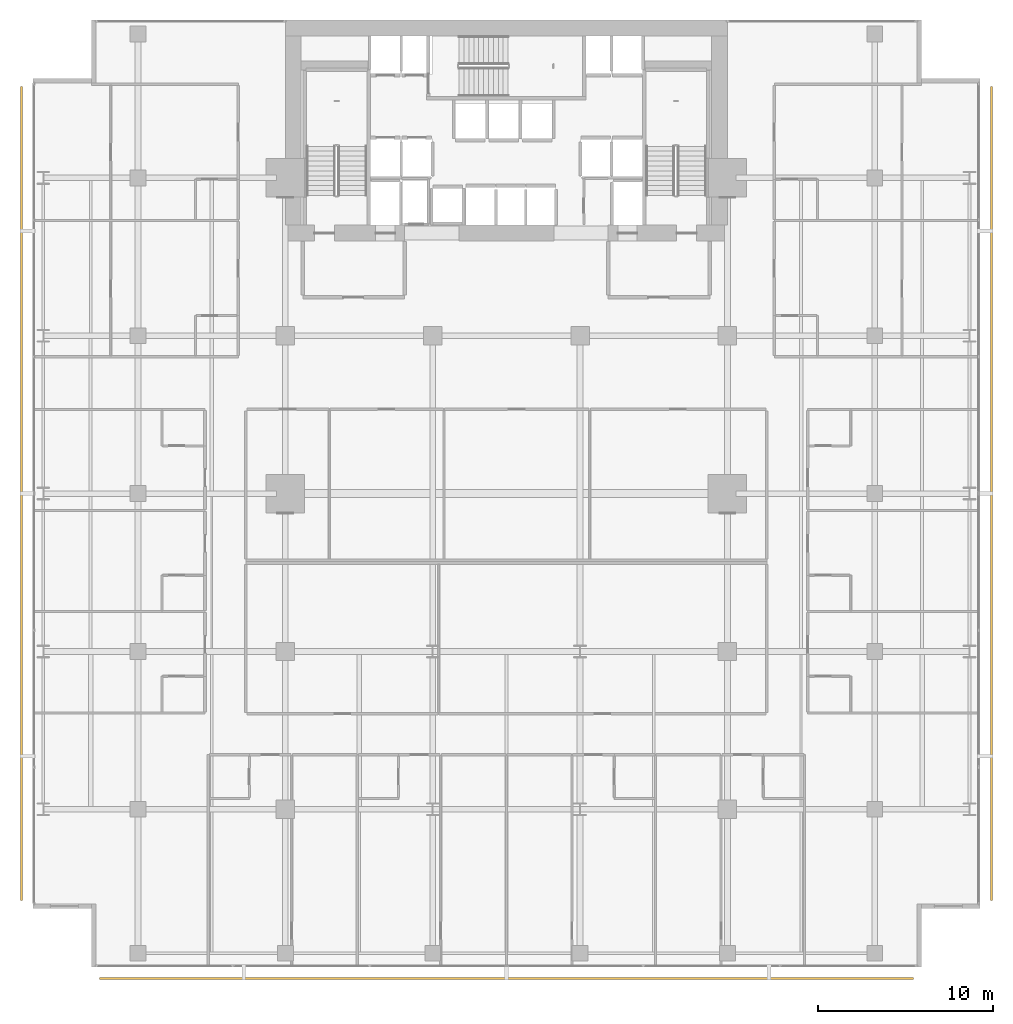
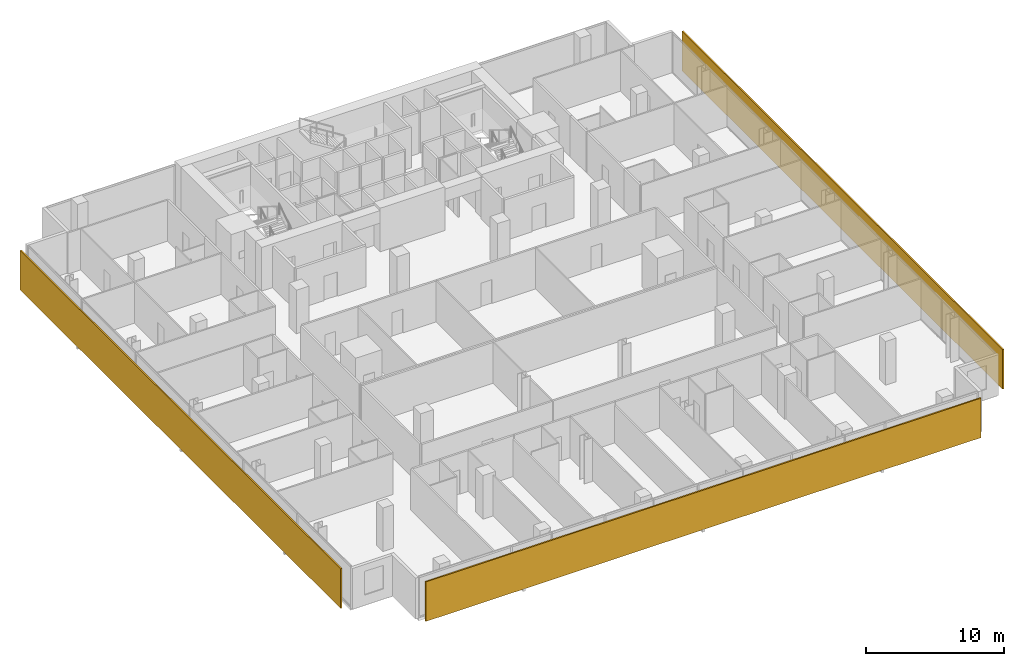
# One storey, part 39 of 40: 3 shading devices.
"""IFC4 building model written with IfcOpenShell, lengths in metres."""

from ifc_helpers import new_model, si_unit, direction, frame, origin, origin_2d, place, context, subcontext, project, spatial, rectangle, extrude, material, layer, layer_set, type_object, element, save


model = new_model("IFC4")

# Units and contexts
model_context = context("Model", 3, precision=1e-05, world=origin(), true_north=direction((0.0, 1.0)))
body_context = subcontext(model_context, "Body", "Model", "MODEL_VIEW")
ifc_project = project(units=[si_unit("LENGTHUNIT", "METRE"), si_unit("AREAUNIT", "SQUARE_METRE"), si_unit("VOLUMEUNIT", "CUBIC_METRE"), si_unit("PLANEANGLEUNIT", "RADIAN"), si_unit("MASSUNIT", "GRAM", prefix="KILO")], contexts=[model_context])

# Site, building, storey
site_placement = place(None, origin())
site = spatial("IfcSite", under=ifc_project, at=site_placement, CompositionType="ELEMENT")
building_placement = place(site_placement, origin())
building = spatial("IfcBuilding", under=site, at=building_placement, Name="Maruvema Waterfront Hotel and Observation Tower", CompositionType="ELEMENT")
storey_placement = place(building_placement, frame((0.0, 0.0, 92.39990234375)))
storey = spatial("IfcBuildingStorey", under=building, at=storey_placement, Name="L22", CompositionType="ELEMENT", Elevation=92.39990234375)

# Shading devices
ifc_material = material(Name="Honed travertine stone and anodised architectural bronze", Category="masonry")
ifc_layer = layer(ifc_material, 0.1201171875, Name="Ventilated Outer Skin Cobogo Stone-and-Bronze Screen 120 mm")
ifc_layer_set = layer_set([ifc_layer], Name="Honed travertine stone and anodised architectural bronze")
shading_device_type = type_object("IfcShadingDeviceType", Name="Ventilated Outer Skin Cobogo Stone-and-Bronze Screen 120 mm", PredefinedType="USERDEFINED", material=ifc_layer_set)
for number, where, z_axis, x_axis, name in (
    (1, (37.800048828125, -0.64990234375, 0.06005859375), (0.0, 0.0, 1.0), (1.0, 0.0, 0.0), "L22 Ventilated Double-Skin Outer Cobogo Screen OS-L22-S"),
    (2, (65.449951171875, 27.0, 0.06005859375), (0.0, 0.0, 1.0), (0.0, 1.0, 0.0), "L22 Ventilated Double-Skin Outer Cobogo Screen OS-L22-E"),
    (3, (10.14990234375, 27.0, 0.06005859375), (0.0, 0.0, 1.0), (0.0, -1.0, 0.0), "L22 Ventilated Double-Skin Outer Cobogo Screen OS-L22-W"),
):
    element("IfcShadingDevice", number, at=place(storey_placement, frame(where, z_axis=z_axis, x_axis=x_axis)), inside=storey, type_object=shading_device_type, Name=name, ObjectType="OUTER SKIN SCREEN", PredefinedType="USERDEFINED", context=body_context, shape_type="SweptSolid", body=[
        extrude(rectangle(XDim=46.39990234375, YDim=0.1201171875, at=origin_2d()), origin(), (0.0, 0.0, 1.0), 3.489990234375),
    ])

save(model, "model.ifc")
